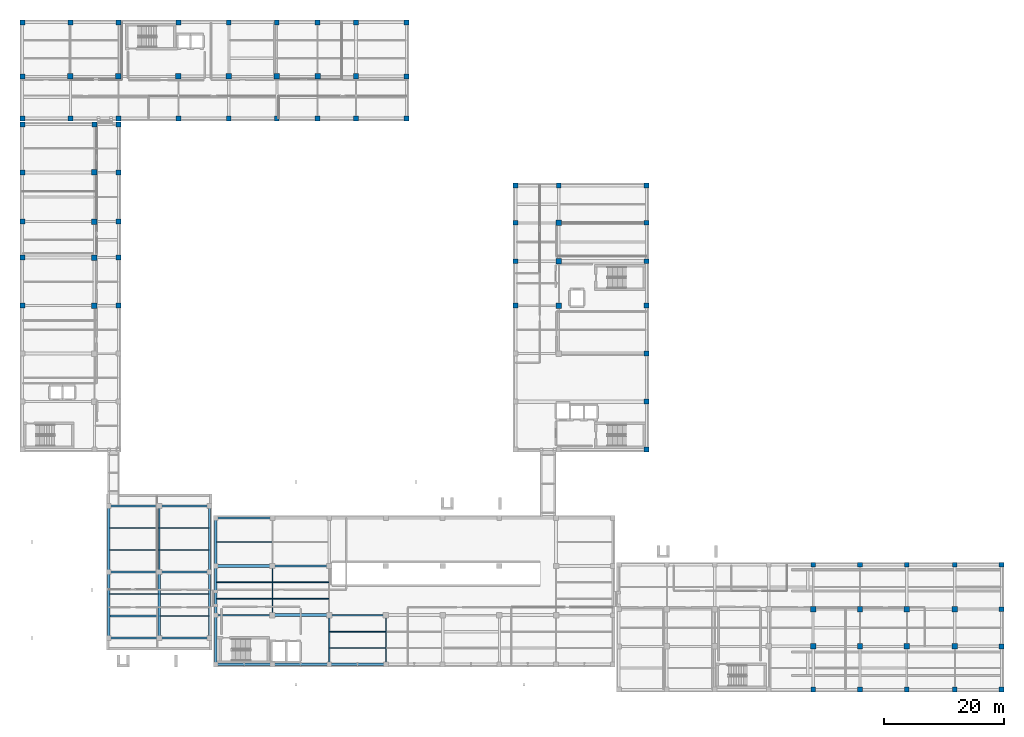
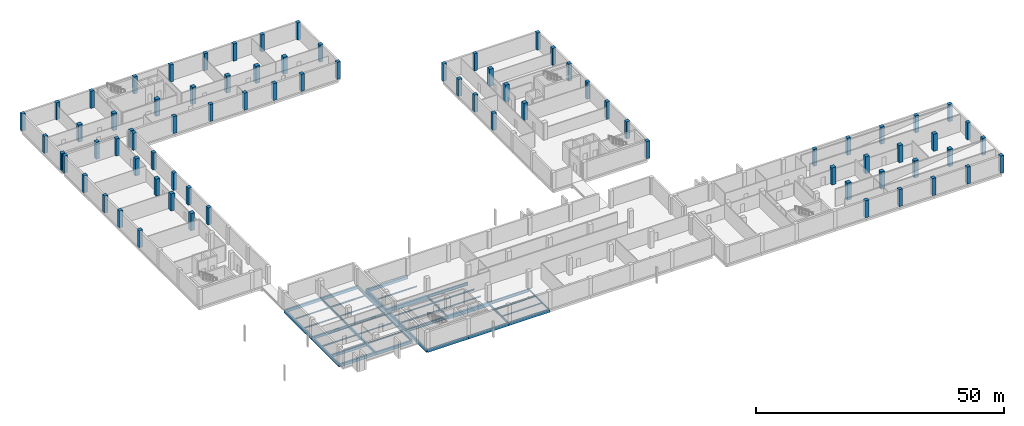
# One storey, part 8 of 31: 77 columns, 42 beams.
"""IFC4 building model written with IfcOpenShell, lengths in metres."""

from ifc_helpers import new_model, si_unit, direction, frame, origin, origin_2d, place, context, subcontext, project, spatial, rectangle, i_section, extrude, material, material_profile, profile_set, type_object, element, save


model = new_model("IFC4")

# Units and contexts
model_context = context("Model", 3, precision=1e-05, world=origin(), true_north=direction((0.0, 1.0)))
body_context = subcontext(model_context, "Body", "Model", "MODEL_VIEW")
ifc_project = project(units=[si_unit("LENGTHUNIT", "METRE"), si_unit("AREAUNIT", "SQUARE_METRE"), si_unit("VOLUMEUNIT", "CUBIC_METRE"), si_unit("PLANEANGLEUNIT", "RADIAN"), si_unit("MASSUNIT", "GRAM", prefix="KILO")], contexts=[model_context])

# Site, building, storey
site_placement = place(None, origin())
site = spatial("IfcSite", under=ifc_project, at=site_placement, CompositionType="ELEMENT")
building_placement = place(site_placement, origin())
building = spatial("IfcBuilding", under=site, at=building_placement, Name="Qalavern Law Courts", CompositionType="ELEMENT")
storey_placement = place(building_placement, frame((0.0, 0.0, -4.199951171875)))
storey = spatial("IfcBuildingStorey", under=building, at=storey_placement, Name="B1", CompositionType="ELEMENT", Elevation=-4.199951171875)

# Columns
ifc_material_1 = material(Name="Concrete C45/55", Category="concrete")
ifc_material_profile_1 = material_profile(ifc_material_1, rectangle(XDim=0.800048828125, YDim=0.800048828125, at=origin_2d()), Name="RC 800x800")
ifc_profile_set_1 = profile_set([ifc_material_profile_1], Name="Concrete C45/55")
column_type_1 = type_object("IfcColumnType", Name="STR-COL-RC800E", PredefinedType="COLUMN", material=ifc_profile_set_1)
for number, where, z_axis, x_axis, name in (
    (1, (2.39990234375, 65.39990234375, 0.0), (0.0, 0.0, 1.0), (1.0, 0.0, 0.0), "V3 column 1-4 B1"),
    (2, (2.39990234375, 73.39990234375, 0.0), (0.0, 0.0, 1.0), (1.0, 0.0, 0.0), "V3 column 1-5 B1"),
    (3, (2.39990234375, 79.39990234375, 0.0), (0.0, 0.0, 1.0), (1.0, 0.0, 0.0), "V3 column 1-6 B1"),
    (4, (2.39990234375, 87.60009765625, 0.0), (0.0, 0.0, 1.0), (1.0, 0.0, 0.0), "V3 column 1-7 B1"),
    (5, (2.39990234375, 95.580078125, 0.0), (0.0, 0.0, 1.0), (1.0, 0.0, 0.0), "V3 column 1-8 B1"),
    (6, (14.39990234375, 95.580078125, 0.0), (0.0, 0.0, 1.0), (1.0, 0.0, 0.0), "V3 column 2-8 B1"),
    (7, (18.39990234375, 65.39990234375, 0.0), (0.0, 0.0, 1.0), (1.0, 0.0, 0.0), "V3 column 3-4 B1"),
    (8, (18.39990234375, 73.39990234375, 0.0), (0.0, 0.0, 1.0), (1.0, 0.0, 0.0), "V3 column 3-5 B1"),
    (9, (18.39990234375, 79.39990234375, 0.0), (0.0, 0.0, 1.0), (1.0, 0.0, 0.0), "V3 column 3-6 B1"),
    (10, (18.39990234375, 87.60009765625, 0.0), (0.0, 0.0, 1.0), (1.0, 0.0, 0.0), "V3 column 3-7 B1"),
    (11, (18.39990234375, 95.580078125, 0.0), (0.0, 0.0, 1.0), (1.0, 0.0, 0.0), "V3 column 3-8 B1"),
    (12, (84.60009765625, 65.39990234375, 0.0), (0.0, 0.0, 1.0), (1.0, 0.0, 0.0), "V4 column 1-4 B1"),
    (13, (84.60009765625, 72.800048828125, 0.0), (0.0, 0.0, 1.0), (1.0, 0.0, 0.0), "V4 column 1-5 B1"),
    (14, (84.60009765625, 79.199951171875, 0.0), (0.0, 0.0, 1.0), (1.0, 0.0, 0.0), "V4 column 1-6 B1"),
    (15, (84.60009765625, 85.39990234375, 0.0), (0.0, 0.0, 1.0), (1.0, 0.0, 0.0), "V4 column 1-7 B1"),
    (16, (91.800048828125, 85.39990234375, 0.0), (0.0, 0.0, 1.0), (1.0, 0.0, 0.0), "V4 column 2-7 B1"),
    (17, (106.39990234375, 41.419921875, 0.0), (0.0, 0.0, 1.0), (1.0, 0.0, 0.0), "V4 column 3-1 B1"),
    (18, (106.39990234375, 49.39990234375, 0.0), (0.0, 0.0, 1.0), (1.0, 0.0, 0.0), "V4 column 3-2 B1"),
    (19, (106.39990234375, 57.39990234375, 0.0), (0.0, 0.0, 1.0), (1.0, 0.0, 0.0), "V4 column 3-3 B1"),
    (20, (106.39990234375, 65.39990234375, 0.0), (0.0, 0.0, 1.0), (1.0, 0.0, 0.0), "V4 column 3-4 B1"),
    (21, (106.39990234375, 72.800048828125, 0.0), (0.0, 0.0, 1.0), (1.0, 0.0, 0.0), "V4 column 3-5 B1"),
    (22, (106.39990234375, 79.199951171875, 0.0), (0.0, 0.0, 1.0), (1.0, 0.0, 0.0), "V4 column 3-6 B1"),
    (23, (106.39990234375, 85.39990234375, 0.0), (0.0, 0.0, 1.0), (1.0, 0.0, 0.0), "V4 column 3-7 B1"),
    (24, (2.39990234375, 96.60009765625, 0.0), (0.0, 0.0, 1.0), (1.0, 0.0, 0.0), "V5 column 1-1 B1"),
    (25, (2.39990234375, 103.60009765625, 0.0), (0.0, 0.0, 1.0), (1.0, 0.0, 0.0), "V5 column 1-2 B1"),
    (26, (2.39990234375, 112.60009765625, 0.0), (0.0, 0.0, 1.0), (1.0, 0.0, 0.0), "V5 column 1-3 B1"),
    (27, (10.39990234375, 96.60009765625, 0.0), (0.0, 0.0, 1.0), (1.0, 0.0, 0.0), "V5 column 2-1 B1"),
    (28, (10.39990234375, 112.60009765625, 0.0), (0.0, 0.0, 1.0), (1.0, 0.0, 0.0), "V5 column 2-3 B1"),
    (29, (18.39990234375, 96.60009765625, 0.0), (0.0, 0.0, 1.0), (1.0, 0.0, 0.0), "V5 column 3-1 B1"),
    (30, (18.39990234375, 112.60009765625, 0.0), (0.0, 0.0, 1.0), (1.0, 0.0, 0.0), "V5 column 3-3 B1"),
    (31, (28.39990234375, 96.60009765625, 0.0), (0.0, 0.0, 1.0), (1.0, 0.0, 0.0), "V5 column 4-1 B1"),
    (32, (28.39990234375, 112.60009765625, 0.0), (0.0, 0.0, 1.0), (1.0, 0.0, 0.0), "V5 column 4-3 B1"),
    (33, (36.800048828125, 96.60009765625, 0.0), (0.0, 0.0, 1.0), (1.0, 0.0, 0.0), "V5 column 5-1 B1"),
    (34, (36.800048828125, 112.60009765625, 0.0), (0.0, 0.0, 1.0), (1.0, 0.0, 0.0), "V5 column 5-3 B1"),
    (35, (44.800048828125, 96.60009765625, 0.0), (0.0, 0.0, 1.0), (1.0, 0.0, 0.0), "V5 column 6-1 B1"),
    (36, (44.800048828125, 112.60009765625, 0.0), (0.0, 0.0, 1.0), (1.0, 0.0, 0.0), "V5 column 6-3 B1"),
    (37, (51.60009765625, 96.60009765625, 0.0), (0.0, 0.0, 1.0), (1.0, 0.0, 0.0), "V5 column 7-1 B1"),
    (38, (51.60009765625, 112.60009765625, 0.0), (0.0, 0.0, 1.0), (1.0, 0.0, 0.0), "V5 column 7-3 B1"),
    (39, (58.0, 96.60009765625, 0.0), (0.0, 0.0, 1.0), (1.0, 0.0, 0.0), "V5 column 8-1 B1"),
    (40, (58.0, 112.60009765625, 0.0), (0.0, 0.0, 1.0), (1.0, 0.0, 0.0), "V5 column 8-3 B1"),
    (41, (66.39990234375, 96.60009765625, 0.0), (0.0, 0.0, 1.0), (1.0, 0.0, 0.0), "V5 column 9-1 B1"),
    (42, (66.39990234375, 103.60009765625, 0.0), (0.0, 0.0, 1.0), (1.0, 0.0, 0.0), "V5 column 9-2 B1"),
    (43, (66.39990234375, 112.60009765625, 0.0), (0.0, 0.0, 1.0), (1.0, 0.0, 0.0), "V5 column 9-3 B1"),
    (44, (134.199951171875, 1.39990234375, 0.0), (0.0, 0.0, 1.0), (1.0, 0.0, 0.0), "V6 column 5-1 B1"),
    (45, (134.199951171875, 22.199951171875, 0.0), (0.0, 0.0, 1.0), (1.0, 0.0, 0.0), "V6 column 5-4 B1"),
    (46, (142.0, 1.39990234375, 0.0), (0.0, 0.0, 1.0), (1.0, 0.0, 0.0), "V6 column 6-1 B1"),
    (47, (142.0, 22.199951171875, 0.0), (0.0, 0.0, 1.0), (1.0, 0.0, 0.0), "V6 column 6-4 B1"),
    (48, (149.800048828125, 1.39990234375, 0.0), (0.0, 0.0, 1.0), (1.0, 0.0, 0.0), "V6 column 7-1 B1"),
    (49, (149.800048828125, 22.199951171875, 0.0), (0.0, 0.0, 1.0), (1.0, 0.0, 0.0), "V6 column 7-4 B1"),
    (50, (157.800048828125, 1.39990234375, 0.0), (0.0, 0.0, 1.0), (1.0, 0.0, 0.0), "V6 column 8-1 B1"),
    (51, (157.800048828125, 22.199951171875, 0.0), (0.0, 0.0, 1.0), (1.0, 0.0, 0.0), "V6 column 8-4 B1"),
    (52, (165.60009765625, 1.39990234375, 0.0), (0.0, 0.0, 1.0), (1.0, 0.0, 0.0), "V6 column 9-1 B1"),
    (53, (165.60009765625, 8.60009765625, 0.0), (0.0, 0.0, 1.0), (1.0, 0.0, 0.0), "V6 column 9-2 B1"),
    (54, (165.60009765625, 14.800048828125, 0.0), (0.0, 0.0, 1.0), (1.0, 0.0, 0.0), "V6 column 9-3 B1"),
    (55, (165.60009765625, 22.199951171875, 0.0), (0.0, 0.0, 1.0), (1.0, 0.0, 0.0), "V6 column 9-4 B1"),
):
    element("IfcColumn", number, at=place(storey_placement, frame(where, z_axis=z_axis, x_axis=x_axis)), inside=storey, type_object=column_type_1, Name=name, PredefinedType="COLUMN", context=body_context, shape_type="SweptSolid", body=[
        extrude(rectangle(XDim=0.800048828125, YDim=0.800048828125, at=origin_2d()), origin(), (0.0, 0.0, 1.0), 4.199951171875),
    ])
ifc_material_profile_2 = material_profile(ifc_material_1, rectangle(XDim=0.89990234375, YDim=0.89990234375, at=origin_2d()), Name="RC 900x900")
ifc_profile_set_2 = profile_set([ifc_material_profile_2], Name="Concrete C45/55")
column_type_2 = type_object("IfcColumnType", Name="STR-COL-RC900", PredefinedType="COLUMN", material=ifc_profile_set_2)
for number, where, z_axis, x_axis, name in (
    (56, (14.39990234375, 65.39990234375, 0.0), (0.0, 0.0, 1.0), (1.0, 0.0, 0.0), "V3 column 2-4 B1"),
    (57, (14.39990234375, 73.39990234375, 0.0), (0.0, 0.0, 1.0), (1.0, 0.0, 0.0), "V3 column 2-5 B1"),
    (58, (14.39990234375, 79.39990234375, 0.0), (0.0, 0.0, 1.0), (1.0, 0.0, 0.0), "V3 column 2-6 B1"),
    (59, (14.39990234375, 87.60009765625, 0.0), (0.0, 0.0, 1.0), (1.0, 0.0, 0.0), "V3 column 2-7 B1"),
    (60, (91.800048828125, 65.39990234375, 0.0), (0.0, 0.0, 1.0), (1.0, 0.0, 0.0), "V4 column 2-4 B1"),
    (61, (91.800048828125, 72.800048828125, 0.0), (0.0, 0.0, 1.0), (1.0, 0.0, 0.0), "V4 column 2-5 B1"),
    (62, (91.800048828125, 79.199951171875, 0.0), (0.0, 0.0, 1.0), (1.0, 0.0, 0.0), "V4 column 2-6 B1"),
    (63, (10.39990234375, 103.60009765625, 0.0), (0.0, 0.0, 1.0), (1.0, 0.0, 0.0), "V5 column 2-2 B1"),
    (64, (18.39990234375, 103.60009765625, 0.0), (0.0, 0.0, 1.0), (1.0, 0.0, 0.0), "V5 column 3-2 B1"),
    (65, (28.39990234375, 103.60009765625, 0.0), (0.0, 0.0, 1.0), (1.0, 0.0, 0.0), "V5 column 4-2 B1"),
    (66, (36.800048828125, 103.60009765625, 0.0), (0.0, 0.0, 1.0), (1.0, 0.0, 0.0), "V5 column 5-2 B1"),
    (67, (44.800048828125, 103.60009765625, 0.0), (0.0, 0.0, 1.0), (1.0, 0.0, 0.0), "V5 column 6-2 B1"),
    (68, (51.60009765625, 103.60009765625, 0.0), (0.0, 0.0, 1.0), (1.0, 0.0, 0.0), "V5 column 7-2 B1"),
    (69, (58.0, 103.60009765625, 0.0), (0.0, 0.0, 1.0), (1.0, 0.0, 0.0), "V5 column 8-2 B1"),
    (70, (134.199951171875, 8.60009765625, 0.0), (0.0, 0.0, 1.0), (1.0, 0.0, 0.0), "V6 column 5-2 B1"),
    (71, (134.199951171875, 14.800048828125, 0.0), (0.0, 0.0, 1.0), (1.0, 0.0, 0.0), "V6 column 5-3 B1"),
    (72, (142.0, 8.60009765625, 0.0), (0.0, 0.0, 1.0), (1.0, 0.0, 0.0), "V6 column 6-2 B1"),
    (73, (142.0, 14.800048828125, 0.0), (0.0, 0.0, 1.0), (1.0, 0.0, 0.0), "V6 column 6-3 B1"),
    (74, (149.800048828125, 8.60009765625, 0.0), (0.0, 0.0, 1.0), (1.0, 0.0, 0.0), "V6 column 7-2 B1"),
    (75, (149.800048828125, 14.800048828125, 0.0), (0.0, 0.0, 1.0), (1.0, 0.0, 0.0), "V6 column 7-3 B1"),
    (76, (157.800048828125, 8.60009765625, 0.0), (0.0, 0.0, 1.0), (1.0, 0.0, 0.0), "V6 column 8-2 B1"),
    (77, (157.800048828125, 14.800048828125, 0.0), (0.0, 0.0, 1.0), (1.0, 0.0, 0.0), "V6 column 8-3 B1"),
):
    element("IfcColumn", number, at=place(storey_placement, frame(where, z_axis=z_axis, x_axis=x_axis)), inside=storey, type_object=column_type_2, Name=name, PredefinedType="COLUMN", context=body_context, shape_type="SweptSolid", body=[
        extrude(rectangle(XDim=0.89990234375, YDim=0.89990234375, at=origin_2d()), origin(), (0.0, 0.0, 1.0), 4.199951171875),
    ])

# Beams
ifc_material_2 = material(Name="Steel S355", Category="steel")
ifc_material_profile_3 = material_profile(ifc_material_2, i_section(OverallWidth=0.300048828125, OverallDepth=0.489990234375, WebThickness=0.011962890625, FlangeThickness=0.02294921875, FilletRadius=0.027099609375, at=origin_2d()), Name="HEA 500")
ifc_profile_set_3 = profile_set([ifc_material_profile_3], Name="Steel S355")
beam_type_1 = type_object("IfcBeamType", Name="STR-BM-HEA500", PredefinedType="BEAM", material=ifc_profile_set_3)
beam_1_placement = place(storey_placement, frame((25.199951171875, 21.0, -0.56494140625), z_axis=(1.0, 0.0, 0.0), x_axis=(0.0, 1.0, 0.0)))
element("IfcBeam", 78, at=beam_1_placement, inside=storey, type_object=beam_type_1, Name="V1 X-beam 2-2 B1", PredefinedType="BEAM", context=body_context, shape_type="SweptSolid", body=[
    extrude(i_section(OverallWidth=0.300048828125, OverallDepth=0.489990234375, WebThickness=0.011962890625, FlangeThickness=0.02294921875, FilletRadius=0.027099609375, at=origin_2d()), origin(), (0.0, 0.0, 1.0), 8.400146484375),
])
ifc_material_profile_4 = material_profile(ifc_material_2, i_section(OverallWidth=0.300048828125, OverallDepth=0.699951171875, WebThickness=0.01708984375, FlangeThickness=0.031982421875, FilletRadius=0.027099609375, at=origin_2d()), Name="HEB 700")
ifc_profile_set_4 = profile_set([ifc_material_profile_4], Name="Steel S355")
beam_type_2 = type_object("IfcBeamType", Name="STR-BM-HEB700", PredefinedType="BEAM", material=ifc_profile_set_4)
beam_2_placement = place(storey_placement, frame((34.6201171875, 13.800048828125, -0.670166015625), z_axis=(1.0, 0.0, 0.0), x_axis=(0.0, 1.0, 0.0)))
element("IfcBeam", 79, at=beam_2_placement, inside=storey, type_object=beam_type_2, Name="V2 X-beam 2-1 B1", PredefinedType="BEAM", context=body_context, shape_type="SweptSolid", body=[
    extrude(i_section(OverallWidth=0.300048828125, OverallDepth=0.699951171875, WebThickness=0.01708984375, FlangeThickness=0.031982421875, FilletRadius=0.027099609375, at=origin_2d()), origin(), (0.0, 0.0, 1.0), 9.4541015625),
])
for number, where, z_axis, x_axis, name in (
    (80, (53.528564453125, 13.800048828125, -0.670166015625), (1.0, 0.0, 0.0), (0.0, 1.0, 0.0), "V2 X-beam 2-3 B1"),
    (81, (44.07421875, 22.0, -0.670166015625), (1.0, 0.0, 0.0), (0.0, 1.0, 0.0), "V2 X-beam 3-2 B1"),
):
    element("IfcBeam", number, at=place(storey_placement, frame(where, z_axis=z_axis, x_axis=x_axis)), inside=storey, type_object=beam_type_2, Name=name, PredefinedType="BEAM", context=body_context, shape_type="SweptSolid", body=[
        extrude(i_section(OverallWidth=0.300048828125, OverallDepth=0.699951171875, WebThickness=0.01708984375, FlangeThickness=0.031982421875, FilletRadius=0.027099609375, at=origin_2d()), origin(), (0.0, 0.0, 1.0), 9.454345703125),
    ])
ifc_material_profile_5 = material_profile(ifc_material_2, i_section(OverallWidth=0.179931640625, OverallDepth=0.39990234375, WebThickness=0.008544921875, FlangeThickness=0.013427734375, FilletRadius=0.02099609375, at=origin_2d()), Name="IPE 400")
ifc_profile_set_5 = profile_set([ifc_material_profile_5], Name="Steel S355")
beam_type_3 = type_object("IfcBeamType", Name="STR-BM-IPE400", PredefinedType="BEAM", material=ifc_profile_set_5)
beam_3_placement = place(storey_placement, frame((62.98291015625, 5.60009765625, -0.52001953125), z_axis=(0.0, 1.0, 0.0), x_axis=(-1.0, 0.0, 0.0)))
element("IfcBeam", 82, at=beam_3_placement, inside=storey, type_object=beam_type_3, Name="V2 Y-beam 4-1 B1", PredefinedType="BEAM", context=body_context, shape_type="SweptSolid", body=[
    extrude(i_section(OverallWidth=0.179931640625, OverallDepth=0.39990234375, WebThickness=0.008544921875, FlangeThickness=0.013427734375, FilletRadius=0.02099609375, at=origin_2d()), origin(), (0.0, 0.0, 1.0), 8.199951171875),
])
ifc_material_profile_6 = material_profile(ifc_material_2, i_section(OverallWidth=0.199951171875, OverallDepth=0.5, WebThickness=0.01025390625, FlangeThickness=0.01611328125, FilletRadius=0.02099609375, at=origin_2d()), Name="IPE 500")
ifc_profile_set_6 = profile_set([ifc_material_profile_6], Name="Steel S355")
beam_type_4 = type_object("IfcBeamType", Name="STR-BM-IPE500", PredefinedType="BEAM", material=ifc_profile_set_6)
beam_4_placement = place(storey_placement, frame((25.199951171875, 21.0, -0.570068359375), z_axis=(0.0, 1.0, 0.0), x_axis=(-1.0, 0.0, 0.0)))
element("IfcBeam", 83, at=beam_4_placement, inside=storey, type_object=beam_type_4, Name="V1 Y-beam 2-2 B1", PredefinedType="BEAM", context=body_context, shape_type="SweptSolid", body=[
    extrude(i_section(OverallWidth=0.199951171875, OverallDepth=0.5, WebThickness=0.01025390625, FlangeThickness=0.01611328125, FilletRadius=0.02099609375, at=origin_2d()), origin(), (0.0, 0.0, 1.0), 11.0),
])
for number, where, z_axis, x_axis, name in (
    (84, (44.07421875, 13.800048828125, -0.570068359375), (0.0, 1.0, 0.0), (-1.0, 0.0, 0.0), "V2 Y-beam 2-2 B1"),
    (85, (53.528564453125, 5.60009765625, -0.570068359375), (0.0, 1.0, 0.0), (-1.0, 0.0, 0.0), "V2 Y-beam 3-1 B1"),
):
    element("IfcBeam", number, at=place(storey_placement, frame(where, z_axis=z_axis, x_axis=x_axis)), inside=storey, type_object=beam_type_4, Name=name, PredefinedType="BEAM", context=body_context, shape_type="SweptSolid", body=[
        extrude(i_section(OverallWidth=0.199951171875, OverallDepth=0.5, WebThickness=0.01025390625, FlangeThickness=0.01611328125, FilletRadius=0.02099609375, at=origin_2d()), origin(), (0.0, 0.0, 1.0), 8.199951171875),
    ])
ifc_material_3 = material(Name="Concrete C35/45", Category="concrete")
ifc_material_profile_7 = material_profile(ifc_material_3, rectangle(XDim=0.35009765625, YDim=0.550048828125, at=origin_2d()), Name="RC 350x550")
ifc_profile_set_7 = profile_set([ifc_material_profile_7], Name="Concrete C35/45")
beam_type_5 = type_object("IfcBeamType", Name="STR-BM-RC350x550", PredefinedType="BEAM", material=ifc_profile_set_7)
beam_5_placement = place(storey_placement, frame((25.199951171875, 10.0, -0.594970703125), z_axis=(0.0, 1.0, 0.0), x_axis=(-1.0, 0.0, 0.0)))
element("IfcBeam", 86, at=beam_5_placement, inside=storey, type_object=beam_type_5, Name="V1 Y-beam 2-1 B1", PredefinedType="BEAM", context=body_context, shape_type="SweptSolid", body=[
    extrude(rectangle(XDim=0.35009765625, YDim=0.550048828125, at=origin_2d()), origin(), (0.0, 0.0, 1.0), 11.0),
])
ifc_material_profile_8 = material_profile(ifc_material_3, rectangle(XDim=0.35009765625, YDim=0.60009765625, at=origin_2d()), Name="RC 350x600")
ifc_profile_set_8 = profile_set([ifc_material_profile_8], Name="Concrete C35/45")
beam_type_6 = type_object("IfcBeamType", Name="STR-BM-RC350x600", PredefinedType="BEAM", material=ifc_profile_set_8)
beam_6_placement = place(storey_placement, frame((16.800048828125, 21.0, -0.6201171875), z_axis=(1.0, 0.0, 0.0), x_axis=(0.0, 1.0, 0.0)))
element("IfcBeam", 87, at=beam_6_placement, inside=storey, type_object=beam_type_6, Name="V1 X-beam 2-1 B1", PredefinedType="BEAM", context=body_context, shape_type="SweptSolid", body=[
    extrude(rectangle(XDim=0.35009765625, YDim=0.60009765625, at=origin_2d()), origin(), (0.0, 0.0, 1.0), 8.39990234375),
])
ifc_material_4 = material(Name="Concrete C40/50", Category="concrete")
ifc_material_profile_9 = material_profile(ifc_material_4, rectangle(XDim=0.5, YDim=0.85009765625, at=origin_2d()), Name="RC 500x850")
ifc_profile_set_9 = profile_set([ifc_material_profile_9], Name="Concrete C40/50")
beam_type_7 = type_object("IfcBeamType", Name="STR-BM-RC500x850", PredefinedType="BEAM", material=ifc_profile_set_9)
beam_7_placement = place(storey_placement, frame((44.07421875, 13.800048828125, -0.7451171875), z_axis=(1.0, 0.0, 0.0), x_axis=(0.0, 1.0, 0.0)))
element("IfcBeam", 88, at=beam_7_placement, inside=storey, type_object=beam_type_7, Name="V2 X-beam 2-2 B1", PredefinedType="BEAM", context=body_context, shape_type="SweptSolid", body=[
    extrude(rectangle(XDim=0.5, YDim=0.85009765625, at=origin_2d()), origin(), (0.0, 0.0, 1.0), 9.454345703125),
])
beam_8_placement = place(storey_placement, frame((34.6201171875, 22.0, -0.7451171875), z_axis=(1.0, 0.0, 0.0), x_axis=(0.0, 1.0, 0.0)))
element("IfcBeam", 89, at=beam_8_placement, inside=storey, type_object=beam_type_7, Name="V2 X-beam 3-1 B1", PredefinedType="BEAM", context=body_context, shape_type="SweptSolid", body=[
    extrude(rectangle(XDim=0.5, YDim=0.85009765625, at=origin_2d()), origin(), (0.0, 0.0, 1.0), 9.4541015625),
])
ifc_material_profile_10 = material_profile(ifc_material_2, i_section(OverallWidth=0.135009765625, OverallDepth=0.27001953125, WebThickness=0.006591796875, FlangeThickness=0.01025390625, FilletRadius=0.014892578125, at=origin_2d()), Name="IPE 270")
ifc_profile_set_10 = profile_set([ifc_material_profile_10], Name="Steel S355")
beam_type_8 = type_object("IfcBeamType", Name="STR-JST-IPE270", PredefinedType="JOIST", material=ifc_profile_set_10)
beam_9_placement = place(storey_placement, frame((25.298095703125, 28.333251953125, -0.455078125), z_axis=(1.0, 0.0, 0.0), x_axis=(0.0, 1.0, 0.0)))
element("IfcBeam", 90, at=beam_9_placement, inside=storey, type_object=beam_type_8, Name="V1 secondary joist 2.2.2 B1", PredefinedType="JOIST", context=body_context, shape_type="SweptSolid", body=[
    extrude(i_section(OverallWidth=0.135009765625, OverallDepth=0.27001953125, WebThickness=0.006591796875, FlangeThickness=0.01025390625, FilletRadius=0.014892578125, at=origin_2d()), origin(), (0.0, 0.0, 1.0), 8.15380859375),
])
for number, where, z_axis, x_axis, name in (
    (91, (44.17236328125, 19.2666015625, -0.455078125), (1.0, 0.0, 0.0), (0.0, 1.0, 0.0), "V2 secondary joist 2.2.2 B1"),
    (92, (53.626708984375, 11.066650390625, -0.455078125), (1.0, 0.0, 0.0), (0.0, 1.0, 0.0), "V2 secondary joist 3.1.2 B1"),
):
    element("IfcBeam", number, at=place(storey_placement, frame(where, z_axis=z_axis, x_axis=x_axis)), inside=storey, type_object=beam_type_8, Name=name, PredefinedType="JOIST", context=body_context, shape_type="SweptSolid", body=[
        extrude(i_section(OverallWidth=0.135009765625, OverallDepth=0.27001953125, WebThickness=0.006591796875, FlangeThickness=0.01025390625, FilletRadius=0.014892578125, at=origin_2d()), origin(), (0.0, 0.0, 1.0), 9.268310546875),
    ])
ifc_material_profile_11 = material_profile(ifc_material_2, i_section(OverallWidth=0.14990234375, OverallDepth=0.300048828125, WebThickness=0.007080078125, FlangeThickness=0.0107421875, FilletRadius=0.014892578125, at=origin_2d()), Name="IPE 300")
ifc_profile_set_11 = profile_set([ifc_material_profile_11], Name="Steel S355")
beam_type_9 = type_object("IfcBeamType", Name="STR-JST-IPE300", PredefinedType="JOIST", material=ifc_profile_set_11)
beam_10_placement = place(storey_placement, frame((16.998046875, 28.333251953125, -0.469970703125), z_axis=(1.0, 0.0, 0.0), x_axis=(0.0, 1.0, 0.0)))
element("IfcBeam", 93, at=beam_10_placement, inside=storey, type_object=beam_type_9, Name="V1 secondary joist 1.2.2 B1", PredefinedType="JOIST", context=body_context, shape_type="SweptSolid", body=[
    extrude(i_section(OverallWidth=0.14990234375, OverallDepth=0.300048828125, WebThickness=0.007080078125, FlangeThickness=0.0107421875, FilletRadius=0.014892578125, at=origin_2d()), origin(), (0.0, 0.0, 1.0), 8.10400390625),
])
beam_11_placement = place(storey_placement, frame((25.373046875, 17.333251953125, -0.469970703125), z_axis=(1.0, 0.0, 0.0), x_axis=(0.0, 1.0, 0.0)))
element("IfcBeam", 94, at=beam_11_placement, inside=storey, type_object=beam_type_9, Name="V1 secondary joist 2.1.2 B1", PredefinedType="JOIST", context=body_context, shape_type="SweptSolid", body=[
    extrude(i_section(OverallWidth=0.14990234375, OverallDepth=0.300048828125, WebThickness=0.007080078125, FlangeThickness=0.0107421875, FilletRadius=0.014892578125, at=origin_2d()), origin(), (0.0, 0.0, 1.0), 8.078857421875),
])
beam_12_placement = place(storey_placement, frame((25.298095703125, 24.666748046875, -0.469970703125), z_axis=(1.0, 0.0, 0.0), x_axis=(0.0, 1.0, 0.0)))
element("IfcBeam", 95, at=beam_12_placement, inside=storey, type_object=beam_type_9, Name="V1 secondary joist 2.2.1 B1", PredefinedType="JOIST", context=body_context, shape_type="SweptSolid", body=[
    extrude(i_section(OverallWidth=0.14990234375, OverallDepth=0.300048828125, WebThickness=0.007080078125, FlangeThickness=0.0107421875, FilletRadius=0.014892578125, at=origin_2d()), origin(), (0.0, 0.0, 1.0), 8.15380859375),
])
beam_13_placement = place(storey_placement, frame((34.818115234375, 19.2666015625, -0.469970703125), z_axis=(1.0, 0.0, 0.0), x_axis=(0.0, 1.0, 0.0)))
element("IfcBeam", 96, at=beam_13_placement, inside=storey, type_object=beam_type_9, Name="V2 secondary joist 1.2.2 B1", PredefinedType="JOIST", context=body_context, shape_type="SweptSolid", body=[
    extrude(i_section(OverallWidth=0.14990234375, OverallDepth=0.300048828125, WebThickness=0.007080078125, FlangeThickness=0.0107421875, FilletRadius=0.014892578125, at=origin_2d()), origin(), (0.0, 0.0, 1.0), 9.158203125),
])
beam_14_placement = place(storey_placement, frame((34.818115234375, 26.0, -0.469970703125), z_axis=(1.0, 0.0, 0.0), x_axis=(0.0, 1.0, 0.0)))
element("IfcBeam", 97, at=beam_14_placement, inside=storey, type_object=beam_type_9, Name="V2 secondary joist 1.3.1 B1", PredefinedType="JOIST", context=body_context, shape_type="SweptSolid", body=[
    extrude(i_section(OverallWidth=0.14990234375, OverallDepth=0.300048828125, WebThickness=0.007080078125, FlangeThickness=0.0107421875, FilletRadius=0.014892578125, at=origin_2d()), origin(), (0.0, 0.0, 1.0), 9.168212890625),
])
for number, where, z_axis, x_axis, name in (
    (98, (44.17236328125, 16.533203125, -0.469970703125), (1.0, 0.0, 0.0), (0.0, 1.0, 0.0), "V2 secondary joist 2.2.1 B1"),
    (99, (53.626708984375, 8.333251953125, -0.469970703125), (1.0, 0.0, 0.0), (0.0, 1.0, 0.0), "V2 secondary joist 3.1.1 B1"),
):
    element("IfcBeam", number, at=place(storey_placement, frame(where, z_axis=z_axis, x_axis=x_axis)), inside=storey, type_object=beam_type_9, Name=name, PredefinedType="JOIST", context=body_context, shape_type="SweptSolid", body=[
        extrude(i_section(OverallWidth=0.14990234375, OverallDepth=0.300048828125, WebThickness=0.007080078125, FlangeThickness=0.0107421875, FilletRadius=0.014892578125, at=origin_2d()), origin(), (0.0, 0.0, 1.0), 9.268310546875),
    ])
ifc_material_profile_12 = material_profile(ifc_material_2, i_section(OverallWidth=0.159912109375, OverallDepth=0.330078125, WebThickness=0.007568359375, FlangeThickness=0.011474609375, FilletRadius=0.01806640625, at=origin_2d()), Name="IPE 330")
ifc_profile_set_12 = profile_set([ifc_material_profile_12], Name="Steel S355")
beam_type_10 = type_object("IfcBeamType", Name="STR-JST-IPE330", PredefinedType="JOIST", material=ifc_profile_set_12)
beam_15_placement = place(storey_placement, frame((16.998046875, 17.333251953125, -0.485107421875), z_axis=(1.0, 0.0, 0.0), x_axis=(0.0, 1.0, 0.0)))
element("IfcBeam", 100, at=beam_15_placement, inside=storey, type_object=beam_type_10, Name="V1 secondary joist 1.1.2 B1", PredefinedType="JOIST", context=body_context, shape_type="SweptSolid", body=[
    extrude(i_section(OverallWidth=0.159912109375, OverallDepth=0.330078125, WebThickness=0.007568359375, FlangeThickness=0.011474609375, FilletRadius=0.01806640625, at=origin_2d()), origin(), (0.0, 0.0, 1.0), 8.029052734375),
])
beam_16_placement = place(storey_placement, frame((16.998046875, 24.666748046875, -0.485107421875), z_axis=(1.0, 0.0, 0.0), x_axis=(0.0, 1.0, 0.0)))
element("IfcBeam", 101, at=beam_16_placement, inside=storey, type_object=beam_type_10, Name="V1 secondary joist 1.2.1 B1", PredefinedType="JOIST", context=body_context, shape_type="SweptSolid", body=[
    extrude(i_section(OverallWidth=0.159912109375, OverallDepth=0.330078125, WebThickness=0.007568359375, FlangeThickness=0.011474609375, FilletRadius=0.01806640625, at=origin_2d()), origin(), (0.0, 0.0, 1.0), 8.10400390625),
])
beam_17_placement = place(storey_placement, frame((25.373046875, 13.666748046875, -0.485107421875), z_axis=(1.0, 0.0, 0.0), x_axis=(0.0, 1.0, 0.0)))
element("IfcBeam", 102, at=beam_17_placement, inside=storey, type_object=beam_type_10, Name="V1 secondary joist 2.1.1 B1", PredefinedType="JOIST", context=body_context, shape_type="SweptSolid", body=[
    extrude(i_section(OverallWidth=0.159912109375, OverallDepth=0.330078125, WebThickness=0.007568359375, FlangeThickness=0.011474609375, FilletRadius=0.01806640625, at=origin_2d()), origin(), (0.0, 0.0, 1.0), 8.078857421875),
])
beam_18_placement = place(storey_placement, frame((34.818115234375, 16.533203125, -0.485107421875), z_axis=(1.0, 0.0, 0.0), x_axis=(0.0, 1.0, 0.0)))
element("IfcBeam", 103, at=beam_18_placement, inside=storey, type_object=beam_type_10, Name="V2 secondary joist 1.2.1 B1", PredefinedType="JOIST", context=body_context, shape_type="SweptSolid", body=[
    extrude(i_section(OverallWidth=0.159912109375, OverallDepth=0.330078125, WebThickness=0.007568359375, FlangeThickness=0.011474609375, FilletRadius=0.01806640625, at=origin_2d()), origin(), (0.0, 0.0, 1.0), 9.158203125),
])
ifc_material_profile_13 = material_profile(ifc_material_3, rectangle(XDim=0.39990234375, YDim=0.64990234375, at=origin_2d()), Name="RC 400x650")
ifc_profile_set_13 = profile_set([ifc_material_profile_13], Name="Concrete C35/45")
beam_type_11 = type_object("IfcBeamType", Name="STR-JST-RC400x650", PredefinedType="JOIST", material=ifc_profile_set_13)
beam_19_placement = place(storey_placement, frame((16.998046875, 13.666748046875, -0.64501953125), z_axis=(1.0, 0.0, 0.0), x_axis=(0.0, 1.0, 0.0)))
element("IfcBeam", 104, at=beam_19_placement, inside=storey, type_object=beam_type_11, Name="V1 secondary joist 1.1.1 B1", PredefinedType="JOIST", context=body_context, shape_type="SweptSolid", body=[
    extrude(rectangle(XDim=0.39990234375, YDim=0.64990234375, at=origin_2d()), origin(), (0.0, 0.0, 1.0), 8.029052734375),
])
ifc_material_profile_14 = material_profile(ifc_material_2, i_section(OverallWidth=0.300048828125, OverallDepth=0.449951171875, WebThickness=0.013916015625, FlangeThickness=0.02587890625, FilletRadius=0.027099609375, at=origin_2d()), Name="HEB 450")
ifc_profile_set_14 = profile_set([ifc_material_profile_14], Name="Steel S355")
beam_type_12 = type_object("IfcBeamType", Name="STR-SP-HEB450", PredefinedType="SPANDREL", material=ifc_profile_set_14)
for number, where, z_axis, x_axis, name in (
    (105, (33.60009765625, 10.0, -0.545166015625), (0.0, 1.0, 0.0), (-1.0, 0.0, 0.0), "V1 Y-beam 3-1 B1"),
    (106, (33.60009765625, 21.0, -0.545166015625), (0.0, 1.0, 0.0), (-1.0, 0.0, 0.0), "V1 Y-beam 3-2 B1"),
):
    element("IfcBeam", number, at=place(storey_placement, frame(where, z_axis=z_axis, x_axis=x_axis)), inside=storey, type_object=beam_type_12, Name=name, PredefinedType="SPANDREL", context=body_context, shape_type="SweptSolid", body=[
        extrude(i_section(OverallWidth=0.300048828125, OverallDepth=0.449951171875, WebThickness=0.013916015625, FlangeThickness=0.02587890625, FilletRadius=0.027099609375, at=origin_2d()), origin(), (0.0, 0.0, 1.0), 11.0),
    ])
ifc_material_profile_15 = material_profile(ifc_material_4, rectangle(XDim=0.39990234375, YDim=0.699951171875, at=origin_2d()), Name="RC 400x700")
ifc_profile_set_15 = profile_set([ifc_material_profile_15], Name="Concrete C40/50")
beam_type_13 = type_object("IfcBeamType", Name="STR-SP-RC400x700", PredefinedType="SPANDREL", material=ifc_profile_set_15)
beam_20_placement = place(storey_placement, frame((16.800048828125, 10.0, -0.670166015625), z_axis=(1.0, 0.0, 0.0), x_axis=(0.0, 1.0, 0.0)))
element("IfcBeam", 107, at=beam_20_placement, inside=storey, type_object=beam_type_13, Name="V1 X-beam 1-1 B1", PredefinedType="SPANDREL", context=body_context, shape_type="SweptSolid", body=[
    extrude(rectangle(XDim=0.39990234375, YDim=0.699951171875, at=origin_2d()), origin(), (0.0, 0.0, 1.0), 8.39990234375),
])
beam_21_placement = place(storey_placement, frame((25.199951171875, 10.0, -0.670166015625), z_axis=(1.0, 0.0, 0.0), x_axis=(0.0, 1.0, 0.0)))
element("IfcBeam", 108, at=beam_21_placement, inside=storey, type_object=beam_type_13, Name="V1 X-beam 1-2 B1", PredefinedType="SPANDREL", context=body_context, shape_type="SweptSolid", body=[
    extrude(rectangle(XDim=0.39990234375, YDim=0.699951171875, at=origin_2d()), origin(), (0.0, 0.0, 1.0), 8.400146484375),
])
beam_22_placement = place(storey_placement, frame((16.800048828125, 32.0, -0.670166015625), z_axis=(1.0, 0.0, 0.0), x_axis=(0.0, 1.0, 0.0)))
element("IfcBeam", 109, at=beam_22_placement, inside=storey, type_object=beam_type_13, Name="V1 X-beam 3-1 B1", PredefinedType="SPANDREL", context=body_context, shape_type="SweptSolid", body=[
    extrude(rectangle(XDim=0.39990234375, YDim=0.699951171875, at=origin_2d()), origin(), (0.0, 0.0, 1.0), 8.39990234375),
])
beam_23_placement = place(storey_placement, frame((25.199951171875, 32.0, -0.670166015625), z_axis=(1.0, 0.0, 0.0), x_axis=(0.0, 1.0, 0.0)))
element("IfcBeam", 110, at=beam_23_placement, inside=storey, type_object=beam_type_13, Name="V1 X-beam 3-2 B1", PredefinedType="SPANDREL", context=body_context, shape_type="SweptSolid", body=[
    extrude(rectangle(XDim=0.39990234375, YDim=0.699951171875, at=origin_2d()), origin(), (0.0, 0.0, 1.0), 8.400146484375),
])
for number, where, z_axis, x_axis, name in (
    (111, (16.800048828125, 10.0, -0.670166015625), (0.0, 1.0, 0.0), (-1.0, 0.0, 0.0), "V1 Y-beam 1-1 B1"),
    (112, (16.800048828125, 21.0, -0.670166015625), (0.0, 1.0, 0.0), (-1.0, 0.0, 0.0), "V1 Y-beam 1-2 B1"),
):
    element("IfcBeam", number, at=place(storey_placement, frame(where, z_axis=z_axis, x_axis=x_axis)), inside=storey, type_object=beam_type_13, Name=name, PredefinedType="SPANDREL", context=body_context, shape_type="SweptSolid", body=[
        extrude(rectangle(XDim=0.39990234375, YDim=0.699951171875, at=origin_2d()), origin(), (0.0, 0.0, 1.0), 11.0),
    ])
beam_24_placement = place(storey_placement, frame((34.6201171875, 5.60009765625, -0.670166015625), z_axis=(1.0, 0.0, 0.0), x_axis=(0.0, 1.0, 0.0)))
element("IfcBeam", 113, at=beam_24_placement, inside=storey, type_object=beam_type_13, Name="V2 X-beam 1-1 B1", PredefinedType="SPANDREL", context=body_context, shape_type="SweptSolid", body=[
    extrude(rectangle(XDim=0.39990234375, YDim=0.699951171875, at=origin_2d()), origin(), (0.0, 0.0, 1.0), 9.4541015625),
])
for number, where, z_axis, x_axis, name in (
    (114, (44.07421875, 5.60009765625, -0.670166015625), (1.0, 0.0, 0.0), (0.0, 1.0, 0.0), "V2 X-beam 1-2 B1"),
    (115, (53.528564453125, 5.60009765625, -0.670166015625), (1.0, 0.0, 0.0), (0.0, 1.0, 0.0), "V2 X-beam 1-3 B1"),
):
    element("IfcBeam", number, at=place(storey_placement, frame(where, z_axis=z_axis, x_axis=x_axis)), inside=storey, type_object=beam_type_13, Name=name, PredefinedType="SPANDREL", context=body_context, shape_type="SweptSolid", body=[
        extrude(rectangle(XDim=0.39990234375, YDim=0.699951171875, at=origin_2d()), origin(), (0.0, 0.0, 1.0), 9.454345703125),
    ])
beam_25_placement = place(storey_placement, frame((34.6201171875, 30.0, -0.670166015625), z_axis=(1.0, 0.0, 0.0), x_axis=(0.0, 1.0, 0.0)))
element("IfcBeam", 116, at=beam_25_placement, inside=storey, type_object=beam_type_13, Name="V2 X-beam 4-1 B1", PredefinedType="SPANDREL", context=body_context, shape_type="SweptSolid", body=[
    extrude(rectangle(XDim=0.39990234375, YDim=0.699951171875, at=origin_2d()), origin(), (0.0, 0.0, 1.0), 9.4541015625),
])
for number, where, z_axis, x_axis, name in (
    (117, (34.6201171875, 5.60009765625, -0.670166015625), (0.0, 1.0, 0.0), (-1.0, 0.0, 0.0), "V2 Y-beam 1-1 B1"),
    (118, (34.6201171875, 13.800048828125, -0.670166015625), (0.0, 1.0, 0.0), (-1.0, 0.0, 0.0), "V2 Y-beam 1-2 B1"),
):
    element("IfcBeam", number, at=place(storey_placement, frame(where, z_axis=z_axis, x_axis=x_axis)), inside=storey, type_object=beam_type_13, Name=name, PredefinedType="SPANDREL", context=body_context, shape_type="SweptSolid", body=[
        extrude(rectangle(XDim=0.39990234375, YDim=0.699951171875, at=origin_2d()), origin(), (0.0, 0.0, 1.0), 8.199951171875),
    ])
beam_26_placement = place(storey_placement, frame((34.6201171875, 22.0, -0.670166015625), z_axis=(0.0, 1.0, 0.0), x_axis=(-1.0, 0.0, 0.0)))
element("IfcBeam", 119, at=beam_26_placement, inside=storey, type_object=beam_type_13, Name="V2 Y-beam 1-3 B1", PredefinedType="SPANDREL", context=body_context, shape_type="SweptSolid", body=[
    extrude(rectangle(XDim=0.39990234375, YDim=0.699951171875, at=origin_2d()), origin(), (0.0, 0.0, 1.0), 8.0),
])

save(model, "model.ifc")
